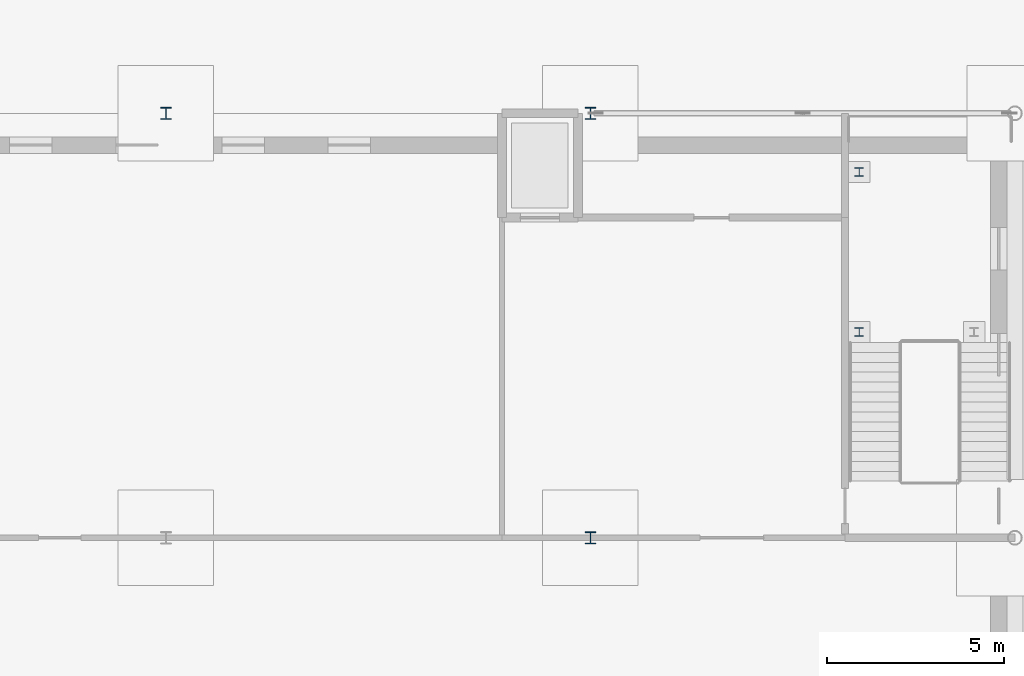
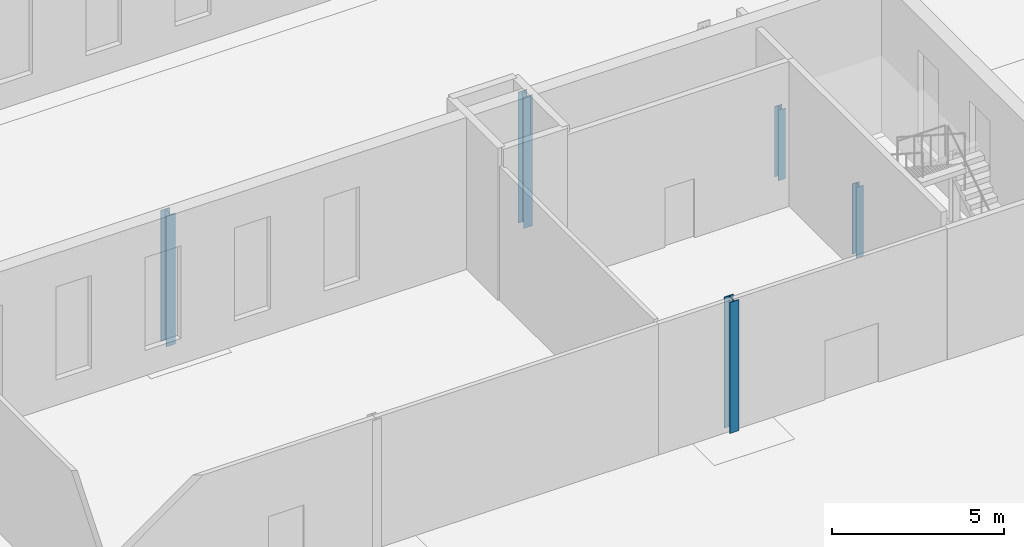
# One storey, part 19 of 132: 5 columns.
"""IFC4 building model written with IfcOpenShell, lengths in metres."""

import ifcopenshell
import ifcopenshell.guid

model = None  # the IFC model being written
_history = None  # IfcOwnerHistory: only IFC2X3 demands one
_inside = {}  # id of a spatial element -> (the spatial element, [elements in it])
_under = {}  # id of a project, library or spatial element -> (it, [spatial elements below it])
_declared = {}  # id of a project -> (the project, [libraries it declares])
_typed = {}  # id of a type object -> (the type object, [elements of that type])
_made_of = {}  # id of a material, layer set ... -> (it, [elements and type objects made of it])


def new_model(schema):
    """Start an empty IFC model of exactly this schema.

    Asked for "IFC4X3", IfcOpenShell would pick the latest addendum, in which some entities
    have other attributes; the version numbers below select the first issue.
    IFC2X3 requires an IfcOwnerHistory on every rooted entity: one is made here for all.
    """
    global model, _history
    if schema == "IFC4X3":
        model = ifcopenshell.file(schema_version=(4, 3, 0, 0))
    else:
        model = ifcopenshell.file(schema=schema)
    _inside.clear()
    _under.clear()
    _declared.clear()
    _typed.clear()
    _made_of.clear()
    _history = None
    if model.schema == "IFC2X3":
        org = make("IfcOrganization", Name="unknown")
        user = make(
            "IfcPersonAndOrganization",
            ThePerson=make("IfcPerson", FamilyName="unknown"),
            TheOrganization=org,
        )
        app = make(
            "IfcApplication",
            ApplicationDeveloper=org,
            Version="unknown",
            ApplicationFullName="unknown",
            ApplicationIdentifier="unknown",
        )
        _history = make(
            "IfcOwnerHistory",
            OwningUser=user,
            OwningApplication=app,
            ChangeAction="ADDED",
            CreationDate=0,
        )
    return model


def make(cls, **values):
    """One entity of the class cls with the attributes given. An attribute that is None is left unset."""
    return model.create_entity(
        cls, **{name: value for name, value in values.items() if value is not None}
    )


def rooted(cls, **values):
    """An entity with a GlobalId (a new one), such as an element, a storey or a relation."""
    return make(cls, GlobalId=ifcopenshell.guid.new(), OwnerHistory=_history, **values)


def si_unit(unit_type, name, prefix=None):
    """IfcSIUnit, for example si_unit("LENGTHUNIT", "METRE", prefix="MILLI")."""
    return make("IfcSIUnit", UnitType=unit_type, Prefix=prefix, Name=name)


def assignment(units):
    """IfcUnitAssignment: the units of a project."""
    return None if units is None else make("IfcUnitAssignment", Units=units)


def point(xyz):
    """IfcCartesianPoint."""
    return None if xyz is None else make("IfcCartesianPoint", Coordinates=xyz)


def direction(xyz):
    """IfcDirection."""
    return None if xyz is None else make("IfcDirection", DirectionRatios=xyz)


def frame(location, z_axis=None, x_axis=None):
    """IfcAxis2Placement3D, a coordinate frame: its origin and axes. An axis left out is left unset."""
    return make(
        "IfcAxis2Placement3D",
        Location=point(location),
        Axis=direction(z_axis),
        RefDirection=direction(x_axis),
    )


def frame_2d(location, x_axis=None):
    """IfcAxis2Placement2D, a coordinate frame in the plane: its origin and x axis."""
    return make(
        "IfcAxis2Placement2D", Location=point(location), RefDirection=direction(x_axis)
    )


def origin():
    """The frame at (0, 0, 0) with its axes left unset."""
    return frame((0.0, 0.0, 0.0))


def origin_2d():
    """The frame at (0, 0) in the plane with its x axis left unset."""
    return frame_2d((0.0, 0.0))


def place(relative_to, where):
    """IfcLocalPlacement: puts the frame where relative to a parent placement (None: the world)."""
    return make(
        "IfcLocalPlacement", PlacementRelTo=relative_to, RelativePlacement=where
    )


def context(
    kind, dimensions, precision=None, world=None, true_north=None, identifier=None
):
    """IfcGeometricRepresentationContext, for example the 3D "Model" context."""
    return make(
        "IfcGeometricRepresentationContext",
        ContextIdentifier=identifier,
        ContextType=kind,
        CoordinateSpaceDimension=dimensions,
        Precision=precision,
        WorldCoordinateSystem=world,
        TrueNorth=true_north,
    )


def subcontext(parent, identifier, kind, view, scale=None):
    """IfcGeometricRepresentationSubContext, for example "Body" below "Model"."""
    return make(
        "IfcGeometricRepresentationSubContext",
        ContextIdentifier=identifier,
        ContextType=kind,
        ParentContext=parent,
        TargetScale=scale,
        TargetView=view,
    )


def project(units=None, contexts=None):
    """IfcProject with its units and contexts."""
    return rooted(
        "IfcProject",
        Name="project",
        RepresentationContexts=contexts,
        UnitsInContext=assignment(units),
    )


def spatial(cls, under=None, at=None, **own):
    """A site, building, storey or space (cls), placed at a placement, below another one or the project."""
    s = rooted(cls, ObjectPlacement=at, **own)
    if under is not None:
        _under.setdefault(under.id(), (under, []))[1].append(s)
    return s


def profile(cls, at=None, kind="AREA", **sizes):
    """A parametric profile (cls). Its sizes go by their IFC names, for example OverallWidth=200.0."""
    return make(cls, ProfileType=kind, Position=at, **sizes)


def i_section(**sizes):
    """IfcIShapeProfileDef."""
    return profile("IfcIShapeProfileDef", **sizes)


def extrude(swept, where, along, depth):
    """IfcExtrudedAreaSolid: the profile swept, set in the frame where, extruded along a direction by depth."""
    return make(
        "IfcExtrudedAreaSolid",
        SweptArea=swept,
        Position=where,
        ExtrudedDirection=direction(along),
        Depth=depth,
    )


def shape(context_of_items, identifier, shape_type, items):
    """IfcShapeRepresentation: the items that make up one representation, for example the "Body"."""
    return make(
        "IfcShapeRepresentation",
        ContextOfItems=context_of_items,
        RepresentationIdentifier=identifier,
        RepresentationType=shape_type,
        Items=items,
    )


def material(Name=None, Category=None):
    """IfcMaterial."""
    return make("IfcMaterial", Name=Name, Category=Category)


def material_profile(
    of_material, cross_section, Name=None, Category=None, Priority=None
):
    """IfcMaterialProfile: a cross section and its material."""
    return make(
        "IfcMaterialProfile",
        Name=Name,
        Material=of_material,
        Profile=cross_section,
        Priority=Priority,
        Category=Category,
    )


def profile_set(profiles, Name=None, composite=None):
    """IfcMaterialProfileSet."""
    return make(
        "IfcMaterialProfileSet",
        Name=Name,
        MaterialProfiles=profiles,
        CompositeProfile=composite,
    )


def made_of(thing, what):
    """Note that an element or type object is made of a material, layer set ...; save() writes the relation."""
    if what is not None:
        _made_of.setdefault(what.id(), (what, []))[1].append(thing)
    return thing


def type_object(cls, material=None, **own):
    """A type object (cls), such as IfcWallType, which elements share."""
    return made_of(rooted(cls, **own), material)


def element(
    cls,
    number,
    at=None,
    inside=None,
    cuts=None,
    type_object=None,
    material=None,
    context=None,
    identifier="Body",
    shape_type=None,
    held_by="IfcProductDefinitionShape",
    body=None,
    shapes=None,
    **own,
):
    """One element of the class cls, such as IfcWall. Its Tag is "e" and its number.

    at: its placement. inside: the storey or other place that contains it. cuts: it is an
    opening in that element (IfcRelVoidsElement). A single representation is given by context,
    identifier, shape_type and body (its items); several are given by shapes. held_by: the class
    of the entity that holds the representations. save() writes the other relations.
    """
    e = rooted(cls, Tag="e%d" % number, ObjectPlacement=at, **own)
    if body is not None:
        shapes = [shape(context, identifier, shape_type, body)]
    if shapes is not None:
        e.Representation = make(held_by, Representations=shapes)
    if inside is not None:
        _inside.setdefault(inside.id(), (inside, []))[1].append(e)
    if cuts is not None:
        rooted(
            "IfcRelVoidsElement", RelatingBuildingElement=cuts, RelatedOpeningElement=e
        )
    if type_object is not None:
        _typed.setdefault(type_object.id(), (type_object, []))[1].append(e)
    return made_of(e, material)


def aggregate(whole, parts):
    """IfcRelAggregates: a whole, such as a stair, and the parts it consists of."""
    return rooted("IfcRelAggregates", RelatingObject=whole, RelatedObjects=parts)


def save(model, path):
    """Write the relations noted so far, then the file.

    IfcRelAggregates (storeys below a building ...), IfcRelContainedInSpatialStructure (elements
    in a storey), IfcRelDefinesByType, IfcRelAssociatesMaterial and IfcRelDeclares: one each for
    every whole, place, type object, material and project.
    """
    for whole, parts in _under.values():
        aggregate(whole, parts)
    for where, things in _inside.values():
        rooted(
            "IfcRelContainedInSpatialStructure",
            RelatedElements=things,
            RelatingStructure=where,
        )
    for kind, things in _typed.values():
        rooted("IfcRelDefinesByType", RelatedObjects=things, RelatingType=kind)
    for what, things in _made_of.values():
        rooted("IfcRelAssociatesMaterial", RelatedObjects=things, RelatingMaterial=what)
    for by, libraries in _declared.values():
        rooted("IfcRelDeclares", RelatingContext=by, RelatedDefinitions=libraries)
    model.write(path)


model = new_model("IFC4")

# Units and contexts
model_context = context("Model", 3, precision=1e-05, world=origin(), true_north=direction((0.0, 1.0)))
body_context = subcontext(model_context, "Body", "Model", "MODEL_VIEW")
ifc_project = project(units=[si_unit("LENGTHUNIT", "METRE"), si_unit("AREAUNIT", "SQUARE_METRE"), si_unit("VOLUMEUNIT", "CUBIC_METRE"), si_unit("PLANEANGLEUNIT", "RADIAN"), si_unit("MASSUNIT", "GRAM", prefix="KILO")], contexts=[model_context])

# Site, building, storey
site_placement = place(None, origin())
site = spatial("IfcSite", under=ifc_project, at=site_placement, CompositionType="ELEMENT")
building_placement = place(site_placement, origin())
building = spatial("IfcBuilding", under=site, at=building_placement, Name="Ravi Spectrum Wholesale Market", CompositionType="ELEMENT")
storey_placement = place(building_placement, origin())
storey = spatial("IfcBuildingStorey", under=building, at=storey_placement, Name="L00", CompositionType="ELEMENT", Elevation=0.0)

# Columns
ifc_material_1 = material(Name="Steel S355", Category="steel")
ifc_material_profile_1 = material_profile(ifc_material_1, i_section(OverallWidth=0.239990234375, OverallDepth=0.239990234375, WebThickness=0.010009765625, FlangeThickness=0.01708984375, at=origin_2d()))
ifc_profile_set_1 = profile_set([ifc_material_profile_1], Name="Steel S355")
column_type_1 = type_object("IfcColumnType", Name="HEB 240 column", PredefinedType="COLUMN", material=ifc_profile_set_1)
for number, where, z_axis, x_axis, name in (
    (1, (193.60009765625, 119.820068359375, 0.0), (0.0, 0.0, 1.0), (1.0, 0.0, 0.0), "H2-COL-L00-022"),
    (2, (193.60009765625, 124.343017578125, 0.0), (0.0, 0.0, 1.0), (1.0, 0.0, 0.0), "H2-COL-L00-023"),
):
    element("IfcColumn", number, at=place(storey_placement, frame(where, z_axis=z_axis, x_axis=x_axis)), inside=storey, type_object=column_type_1, Name=name, PredefinedType="COLUMN", context=body_context, shape_type="SweptSolid", body=[
        extrude(i_section(OverallWidth=0.239990234375, OverallDepth=0.239990234375, WebThickness=0.010009765625, FlangeThickness=0.01708984375, at=origin_2d()), origin(), (0.0, 0.0, 1.0), 2.5),
    ])
ifc_material_2 = material(Name="Steel S355", Category="steel")
ifc_material_profile_2 = material_profile(ifc_material_2, i_section(OverallWidth=0.300048828125, OverallDepth=0.340087890625, WebThickness=0.011962890625, FlangeThickness=0.021484375, at=origin_2d()))
ifc_profile_set_2 = profile_set([ifc_material_profile_2], Name="Steel S355")
column_type_2 = type_object("IfcColumnType", Name="HEB 340 column", PredefinedType="COLUMN", material=ifc_profile_set_2)
for number, where, z_axis, x_axis, name in (
    (3, (174.0, 126.0, 0.0), (0.0, 0.0, 1.0), (1.0, 0.0, 0.0), "H2-COL-L00-014"),
    (4, (186.0, 114.0, 0.0), (0.0, 0.0, 1.0), (1.0, 0.0, 0.0), "H2-COL-L00-015"),
    (5, (186.0, 126.0, 0.0), (0.0, 0.0, 1.0), (1.0, 0.0, 0.0), "H2-COL-L00-016"),
):
    element("IfcColumn", number, at=place(storey_placement, frame(where, z_axis=z_axis, x_axis=x_axis)), inside=storey, type_object=column_type_2, Name=name, PredefinedType="COLUMN", context=body_context, shape_type="SweptSolid", body=[
        extrude(i_section(OverallWidth=0.300048828125, OverallDepth=0.340087890625, WebThickness=0.011962890625, FlangeThickness=0.021484375, at=origin_2d()), origin(), (0.0, 0.0, 1.0), 4.64990234375),
    ])

save(model, "model.ifc")
